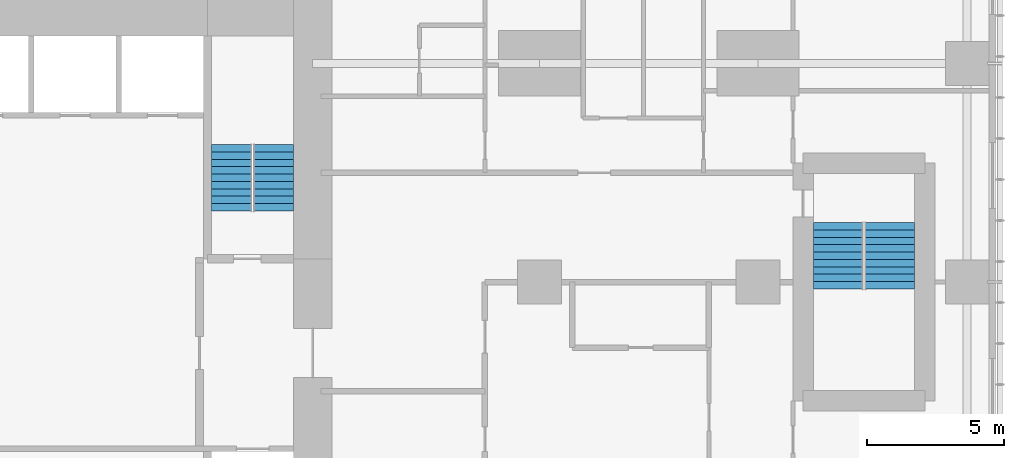
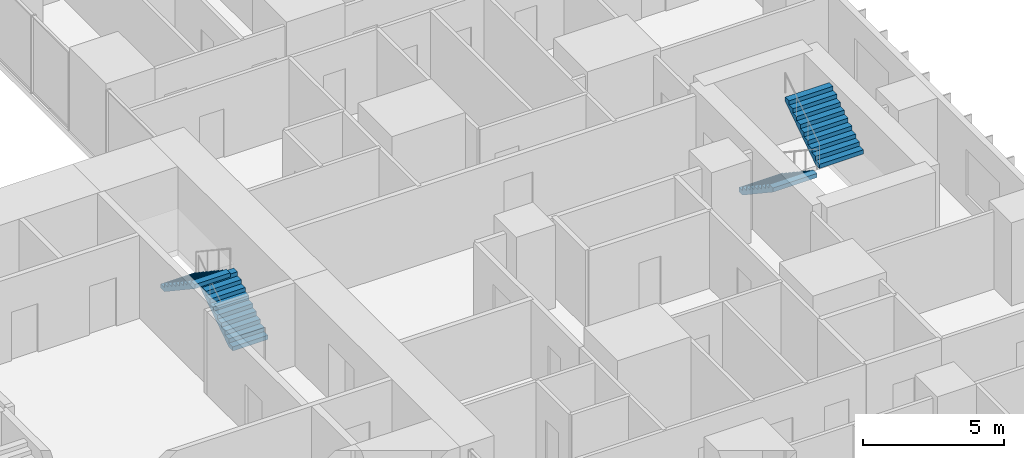
# One storey, part 11 of 12: 4 stair flights, 2 elements without a shape of their own.
"""IFC4 building model written with IfcOpenShell, lengths in metres."""

from ifc_helpers import new_model, si_unit, direction, frame, origin, place, context, subcontext, project, spatial, polyline, outline, extrude, material, type_object, element, aggregate, save


model = new_model("IFC4")

# Units and contexts
model_context = context("Model", 3, precision=1e-05, world=origin(), true_north=direction((0.0, 1.0)))
body_context = subcontext(model_context, "Body", "Model", "MODEL_VIEW")
ifc_project = project(units=[si_unit("LENGTHUNIT", "METRE"), si_unit("AREAUNIT", "SQUARE_METRE"), si_unit("VOLUMEUNIT", "CUBIC_METRE"), si_unit("PLANEANGLEUNIT", "RADIAN"), si_unit("MASSUNIT", "GRAM", prefix="KILO")], contexts=[model_context])

# Site, building, storey
site_placement = place(None, origin())
site = spatial("IfcSite", under=ifc_project, at=site_placement, CompositionType="ELEMENT")
building_placement = place(site_placement, origin())
building = spatial("IfcBuilding", under=site, at=building_placement, Name="Cleftline Residences", CompositionType="ELEMENT")
storey_placement = place(building_placement, frame((0.0, 0.0, 266.39990234375)))
storey = spatial("IfcBuildingStorey", under=building, at=storey_placement, Name="L70", CompositionType="ELEMENT", Elevation=266.39990234375)

# Stair, stair flights
ifc_material_1 = material(Name="Concrete B45, stone treads", Category="masonry")
stair_type_1 = type_object("IfcStairType", Name="STAIR B 1450 WIDE 180 RISER", PredefinedType="HALF_TURN_STAIR", material=ifc_material_1)
stair_1_placement = place(storey_placement, origin())
stair_1 = element("IfcStair", 1, at=stair_1_placement, inside=storey, type_object=stair_type_1, Name="Stair B L70", PredefinedType="HALF_TURN_STAIR")
ifc_material_2 = material(Name="Concrete B45", Category="concrete")
stair_flight_type_1 = type_object("IfcStairFlightType", Name="STAIR B FLIGHT 1450X180", PredefinedType="STRAIGHT", material=ifc_material_2)
stair_flight_1_placement = place(storey_placement, frame((40.27490234375, 26.60009765625, 0.0), z_axis=(0.0, 0.0, 1.0), x_axis=(0.0, 1.0, 0.0)))
stair_flight_1 = element("IfcStairFlight", 2, at=stair_flight_1_placement, type_object=stair_flight_type_1, Name="ST-B flight 1", NumberOfRisers=10, NumberOfTreads=9, PredefinedType="STRAIGHT", RiserHeight=0.18, TreadLength=0.27, context=body_context, shape_type="SweptSolid", body=[
    extrude(outline(polyline([(0.0, 0.0), (0.0, 0.013916015625), (0.0, 0.027587890625), (0.0, 0.04150390625), (0.0, 0.055419921875), (0.0, 0.0693359375), (0.0, 0.0830078125), (0.0, 0.096923828125), (0.0, 0.11083984375), (0.0, 0.12451171875), (0.0, 0.138427734375), (0.0, 0.15234375), (0.0, 0.166259765625), (0.0, 0.179931640625), (0.27001953125, 0.179931640625), (0.27001953125, 0.360107421875), (0.5400390625, 0.360107421875), (0.5400390625, 0.5400390625), (0.81005859375, 0.5400390625), (0.81005859375, 0.719970703125), (1.080078125, 0.719970703125), (1.080078125, 0.89990234375), (1.35009765625, 0.89990234375), (1.35009765625, 1.080078125), (1.6201171875, 1.080078125), (1.6201171875, 1.260009765625), (1.889892578125, 1.260009765625), (1.889892578125, 1.43994140625), (2.159912109375, 1.43994140625), (2.159912109375, 1.6201171875), (2.429931640625, 1.6201171875), (2.429931640625, 1.800048828125), (2.429931640625, 1.772216796875), (2.429931640625, 1.74462890625), (2.429931640625, 1.716796875), (2.429931640625, 1.689208984375), (2.429931640625, 1.661376953125), (2.429931640625, 1.6337890625), (2.429931640625, 1.60595703125), (2.429931640625, 1.578369140625), (2.429931640625, 1.550537109375), (2.429931640625, 1.52294921875), (2.429931640625, 1.495361328125), (2.429931640625, 1.467529296875), (2.429931640625, 1.43994140625), (0.270263671875, 0.0), (0.0, 0.0)])), frame((0.0, 0.72509765625, 0.0), z_axis=(0.0, -1.0, 0.0), x_axis=(1.0, 0.0, 0.0)), (0.0, 0.0, 1.0), 1.449951171875),
])
stair_flight_2_placement = place(storey_placement, frame((38.72509765625, 29.030029296875, 1.800048828125), z_axis=(0.0, 0.0, 1.0), x_axis=(0.0, -1.0, 0.0)))
stair_flight_2 = element("IfcStairFlight", 3, at=stair_flight_2_placement, type_object=stair_flight_type_1, Name="ST-B flight 2", NumberOfRisers=10, NumberOfTreads=9, PredefinedType="STRAIGHT", RiserHeight=0.18, TreadLength=0.27, context=body_context, shape_type="SweptSolid", body=[
    extrude(outline(polyline([(0.0, 0.0), (0.0, 0.013916015625), (0.0, 0.027587890625), (0.0, 0.04150390625), (0.0, 0.055419921875), (0.0, 0.0693359375), (0.0, 0.0830078125), (0.0, 0.096923828125), (0.0, 0.11083984375), (0.0, 0.12451171875), (0.0, 0.138427734375), (0.0, 0.15234375), (0.0, 0.166259765625), (0.0, 0.179931640625), (0.27001953125, 0.179931640625), (0.27001953125, 0.360107421875), (0.5400390625, 0.360107421875), (0.5400390625, 0.5400390625), (0.81005859375, 0.5400390625), (0.81005859375, 0.719970703125), (1.080078125, 0.719970703125), (1.080078125, 0.89990234375), (1.35009765625, 0.89990234375), (1.35009765625, 1.080078125), (1.6201171875, 1.080078125), (1.6201171875, 1.260009765625), (1.889892578125, 1.260009765625), (1.889892578125, 1.43994140625), (2.159912109375, 1.43994140625), (2.159912109375, 1.6201171875), (2.429931640625, 1.6201171875), (2.429931640625, 1.800048828125), (2.429931640625, 1.772216796875), (2.429931640625, 1.74462890625), (2.429931640625, 1.716796875), (2.429931640625, 1.689208984375), (2.429931640625, 1.661376953125), (2.429931640625, 1.6337890625), (2.429931640625, 1.60595703125), (2.429931640625, 1.578369140625), (2.429931640625, 1.550537109375), (2.429931640625, 1.52294921875), (2.429931640625, 1.495361328125), (2.429931640625, 1.467529296875), (2.429931640625, 1.43994140625), (0.270263671875, 0.0), (0.0, 0.0)])), frame((0.0, 0.72509765625, 0.0), z_axis=(0.0, -1.0, 0.0), x_axis=(1.0, 0.0, 0.0)), (0.0, 0.0, 1.0), 1.449951171875),
])
aggregate(stair_1, [stair_flight_1, stair_flight_2])

ifc_material_3 = material(Name="Concrete B45, stone treads", Category="masonry")
stair_type_2 = type_object("IfcStairType", Name="STAIR E 1800 WIDE 180 RISER", PredefinedType="HALF_TURN_STAIR", material=ifc_material_3)
stair_2_placement = place(storey_placement, origin())
stair_2 = element("IfcStair", 4, at=stair_2_placement, inside=storey, type_object=stair_type_2, Name="Stair E L70", PredefinedType="HALF_TURN_STAIR")
ifc_material_4 = material(Name="Concrete B45", Category="concrete")
stair_flight_type_2 = type_object("IfcStairFlightType", Name="STAIR E FLIGHT 1800X180", PredefinedType="STRAIGHT", material=ifc_material_4)
stair_flight_3_placement = place(storey_placement, frame((60.925048828125, 26.175048828125, 0.0), z_axis=(0.0, 0.0, 1.0), x_axis=(0.0, -1.0, 0.0)))
stair_flight_3 = element("IfcStairFlight", 5, at=stair_flight_3_placement, type_object=stair_flight_type_2, Name="ST-E flight 1", NumberOfRisers=10, NumberOfTreads=9, PredefinedType="STRAIGHT", RiserHeight=0.18, TreadLength=0.27, context=body_context, shape_type="SweptSolid", body=[
    extrude(outline(polyline([(0.0, 0.0), (0.0, 0.013916015625), (0.0, 0.027587890625), (0.0, 0.04150390625), (0.0, 0.055419921875), (0.0, 0.0693359375), (0.0, 0.0830078125), (0.0, 0.096923828125), (0.0, 0.11083984375), (0.0, 0.12451171875), (0.0, 0.138427734375), (0.0, 0.15234375), (0.0, 0.166259765625), (0.0, 0.179931640625), (0.27001953125, 0.179931640625), (0.27001953125, 0.360107421875), (0.5400390625, 0.360107421875), (0.5400390625, 0.5400390625), (0.81005859375, 0.5400390625), (0.81005859375, 0.719970703125), (1.080078125, 0.719970703125), (1.080078125, 0.89990234375), (1.35009765625, 0.89990234375), (1.35009765625, 1.080078125), (1.6201171875, 1.080078125), (1.6201171875, 1.260009765625), (1.889892578125, 1.260009765625), (1.889892578125, 1.43994140625), (2.159912109375, 1.43994140625), (2.159912109375, 1.6201171875), (2.429931640625, 1.6201171875), (2.429931640625, 1.800048828125), (2.429931640625, 1.772216796875), (2.429931640625, 1.74462890625), (2.429931640625, 1.716796875), (2.429931640625, 1.689208984375), (2.429931640625, 1.661376953125), (2.429931640625, 1.6337890625), (2.429931640625, 1.60595703125), (2.429931640625, 1.578369140625), (2.429931640625, 1.550537109375), (2.429931640625, 1.52294921875), (2.429931640625, 1.495361328125), (2.429931640625, 1.467529296875), (2.429931640625, 1.43994140625), (0.270263671875, 0.0), (0.0, 0.0)])), frame((0.0, 0.89990234375, 0.0), z_axis=(0.0, -1.0, 0.0), x_axis=(1.0, 0.0, 0.0)), (0.0, 0.0, 1.0), 1.800048828125),
])
stair_flight_4_placement = place(storey_placement, frame((62.824951171875, 23.7451171875, 1.800048828125), z_axis=(0.0, 0.0, 1.0), x_axis=(0.0, 1.0, 0.0)))
stair_flight_4 = element("IfcStairFlight", 6, at=stair_flight_4_placement, type_object=stair_flight_type_2, Name="ST-E flight 2", NumberOfRisers=10, NumberOfTreads=9, PredefinedType="STRAIGHT", RiserHeight=0.18, TreadLength=0.27, context=body_context, shape_type="SweptSolid", body=[
    extrude(outline(polyline([(0.0, 0.0), (0.0, 0.013916015625), (0.0, 0.027587890625), (0.0, 0.04150390625), (0.0, 0.055419921875), (0.0, 0.0693359375), (0.0, 0.0830078125), (0.0, 0.096923828125), (0.0, 0.11083984375), (0.0, 0.12451171875), (0.0, 0.138427734375), (0.0, 0.15234375), (0.0, 0.166259765625), (0.0, 0.179931640625), (0.27001953125, 0.179931640625), (0.27001953125, 0.360107421875), (0.5400390625, 0.360107421875), (0.5400390625, 0.5400390625), (0.81005859375, 0.5400390625), (0.81005859375, 0.719970703125), (1.080078125, 0.719970703125), (1.080078125, 0.89990234375), (1.35009765625, 0.89990234375), (1.35009765625, 1.080078125), (1.6201171875, 1.080078125), (1.6201171875, 1.260009765625), (1.889892578125, 1.260009765625), (1.889892578125, 1.43994140625), (2.159912109375, 1.43994140625), (2.159912109375, 1.6201171875), (2.429931640625, 1.6201171875), (2.429931640625, 1.800048828125), (2.429931640625, 1.772216796875), (2.429931640625, 1.74462890625), (2.429931640625, 1.716796875), (2.429931640625, 1.689208984375), (2.429931640625, 1.661376953125), (2.429931640625, 1.6337890625), (2.429931640625, 1.60595703125), (2.429931640625, 1.578369140625), (2.429931640625, 1.550537109375), (2.429931640625, 1.52294921875), (2.429931640625, 1.495361328125), (2.429931640625, 1.467529296875), (2.429931640625, 1.43994140625), (0.270263671875, 0.0), (0.0, 0.0)])), frame((0.0, 0.89990234375, 0.0), z_axis=(0.0, -1.0, 0.0), x_axis=(1.0, 0.0, 0.0)), (0.0, 0.0, 1.0), 1.800048828125),
])
aggregate(stair_2, [stair_flight_3, stair_flight_4])

save(model, "model.ifc")
